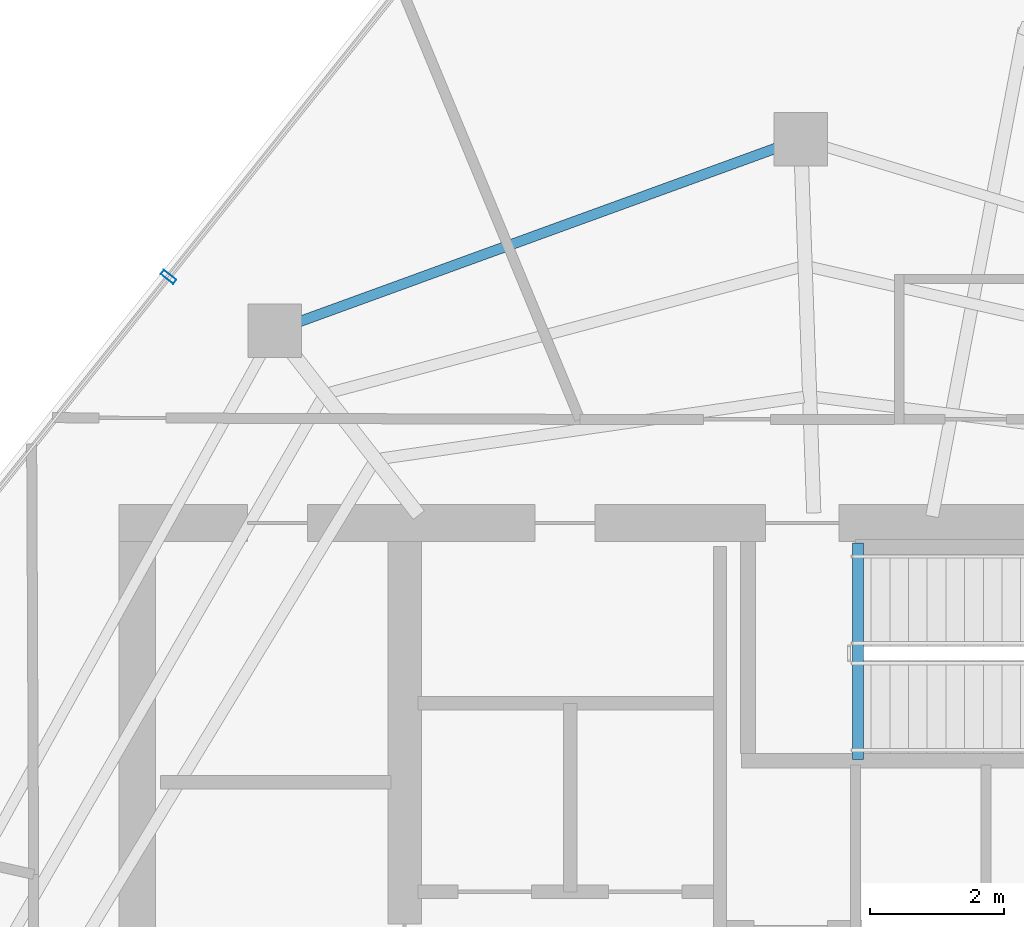
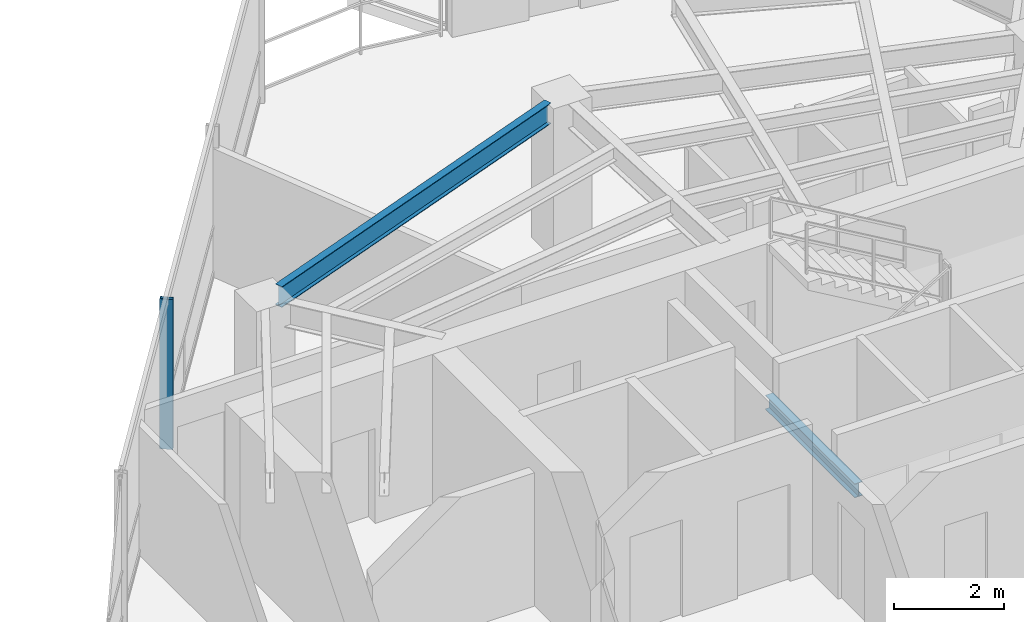
# One storey, part 8 of 19: 2 beams, 1 member, 1 element without a shape of its own.
"""IFC4 building model written with IfcOpenShell, lengths in metres."""

from ifc_helpers import new_model, si_unit, direction, frame, origin, origin_2d, place, context, subcontext, project, spatial, hollow_rectangle, i_section, extrude, material, layer, layer_set, material_profile, profile_set, type_object, element, aggregate, save


model = new_model("IFC4")

# Units and contexts
model_context = context("Model", 3, precision=1e-05, world=origin(), true_north=direction((0.0, 1.0)))
body_context = subcontext(model_context, "Body", "Model", "MODEL_VIEW")
ifc_project = project(units=[si_unit("LENGTHUNIT", "METRE"), si_unit("AREAUNIT", "SQUARE_METRE"), si_unit("VOLUMEUNIT", "CUBIC_METRE"), si_unit("PLANEANGLEUNIT", "RADIAN"), si_unit("MASSUNIT", "GRAM", prefix="KILO")], contexts=[model_context])

# Site, building, storey
site_placement = place(None, origin())
site = spatial("IfcSite", under=ifc_project, at=site_placement, CompositionType="ELEMENT")
building_placement = place(site_placement, origin())
building = spatial("IfcBuilding", under=site, at=building_placement, Name="Qarnah Convention Tower", CompositionType="ELEMENT")
storey_placement = place(building_placement, frame((0.0, 0.0, 260.699951171875)))
storey = spatial("IfcBuildingStorey", under=building, at=storey_placement, Name="L70", CompositionType="ELEMENT", Elevation=260.699951171875)

# Beams
ifc_material_1 = material(Name="Structural steel S355JR", Category="steel")
ifc_material_profile_1 = material_profile(ifc_material_1, i_section(OverallWidth=0.166015625, OverallDepth=0.31201171875, WebThickness=0.007080078125, FlangeThickness=0.010986328125, at=origin_2d()), Name="W310X45")
ifc_profile_set_1 = profile_set([ifc_material_profile_1], Name="Structural steel S355JR")
beam_type_1 = type_object("IfcBeamType", Name="BM-JST-W310", PredefinedType="JOIST", material=ifc_profile_set_1)
beam_1_placement = place(storey_placement, frame((37.5830078125, 30.659912109375, -0.156005859375), z_axis=(0.0, 1.0, 0.0), x_axis=(-1.0, 0.0, 0.0)))
element("IfcBeam", 1, at=beam_1_placement, inside=storey, type_object=beam_type_1, Name="L70 stair landing trimmer beam BM-L70-ST3-TRM", PredefinedType="BEAM", context=body_context, shape_type="SweptSolid", body=[
    extrude(i_section(OverallWidth=0.166015625, OverallDepth=0.31201171875, WebThickness=0.007080078125, FlangeThickness=0.010986328125, at=origin_2d()), origin(), (0.0, 0.0, 1.0), 3.239990234375),
])
ifc_material_profile_2 = material_profile(ifc_material_1, i_section(OverallWidth=0.154052734375, OverallDepth=0.4599609375, WebThickness=0.009033203125, FlangeThickness=0.014892578125, at=origin_2d()), Name="W460X68")
ifc_profile_set_2 = profile_set([ifc_material_profile_2], Name="Structural steel S355JR")
beam_type_2 = type_object("IfcBeamType", Name="BM-SPN-W460B", PredefinedType="SPANDREL", material=ifc_profile_set_2)
beam_2_placement = place(storey_placement, frame((36.361083984375, 39.80908203125, 3.090087890625), z_axis=(-0.939671356419, -0.342078561044, 0.0), x_axis=(0.342078561044, -0.939671356419, 0.0)))
element("IfcBeam", 2, at=beam_2_placement, inside=storey, type_object=beam_type_2, Name="L70 spandrel BM-L70-SPN-03", PredefinedType="SPANDREL", context=body_context, shape_type="SweptSolid", body=[
    extrude(i_section(OverallWidth=0.154052734375, OverallDepth=0.4599609375, WebThickness=0.009033203125, FlangeThickness=0.014892578125, at=origin_2d()), origin(), (0.0, 0.0, 1.0), 7.59521484375),
])

# Curtain wall, member
ifc_material_2 = material(Name="Tempered Low-E dark glass", Category="glass")
ifc_layer = layer(ifc_material_2, 0.176025390625)
ifc_layer_set = layer_set([ifc_layer], Name="Tempered Low-E dark glass")
curtain_wall_type = type_object("IfcCurtainWallType", Name="CWS-05", PredefinedType="NOTDEFINED", material=ifc_layer_set)
curtain_wall_placement = place(storey_placement, origin())
curtain_wall = element("IfcCurtainWall", 3, at=curtain_wall_placement, inside=storey, type_object=curtain_wall_type, Name="L70 unitised curtain wall CW-L70-F3", PredefinedType="NOTDEFINED")
ifc_material_3 = material(Name="Black anodised aluminium", Category="aluminium")
ifc_material_profile_3 = material_profile(ifc_material_3, hollow_rectangle(XDim=0.080078125, YDim=0.239990234375, WallThickness=0.0048828125, at=origin_2d()), Name="MUL-80X240")
ifc_profile_set_3 = profile_set([ifc_material_profile_3], Name="Black anodised aluminium")
member_type = type_object("IfcMemberType", Name="MUL-T5", PredefinedType="MULLION", material=ifc_profile_set_3)
member_placement = place(storey_placement, frame((27.267822265625, 37.881103515625, 0.0), z_axis=(0.0, 0.0, 1.0), x_axis=(0.624417264657, 0.781090954754, 0.0)))
member = element("IfcMember", 4, at=member_placement, type_object=member_type, Name="CW-L70-F3 mullion 4", PredefinedType="MULLION", context=body_context, shape_type="SweptSolid", body=[
    extrude(hollow_rectangle(XDim=0.080078125, YDim=0.239990234375, WallThickness=0.0048828125, at=origin_2d()), origin(), (0.0, 0.0, 1.0), 3.320068359375),
])
aggregate(curtain_wall, [member])

save(model, "model.ifc")
